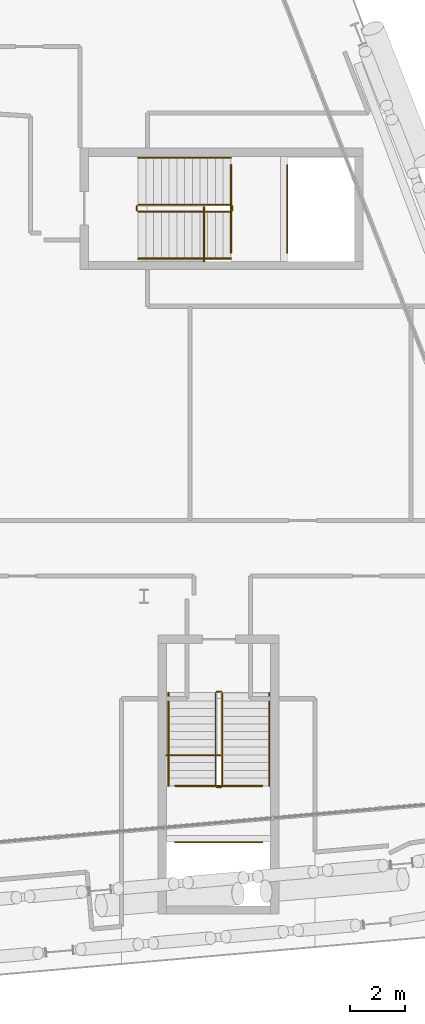
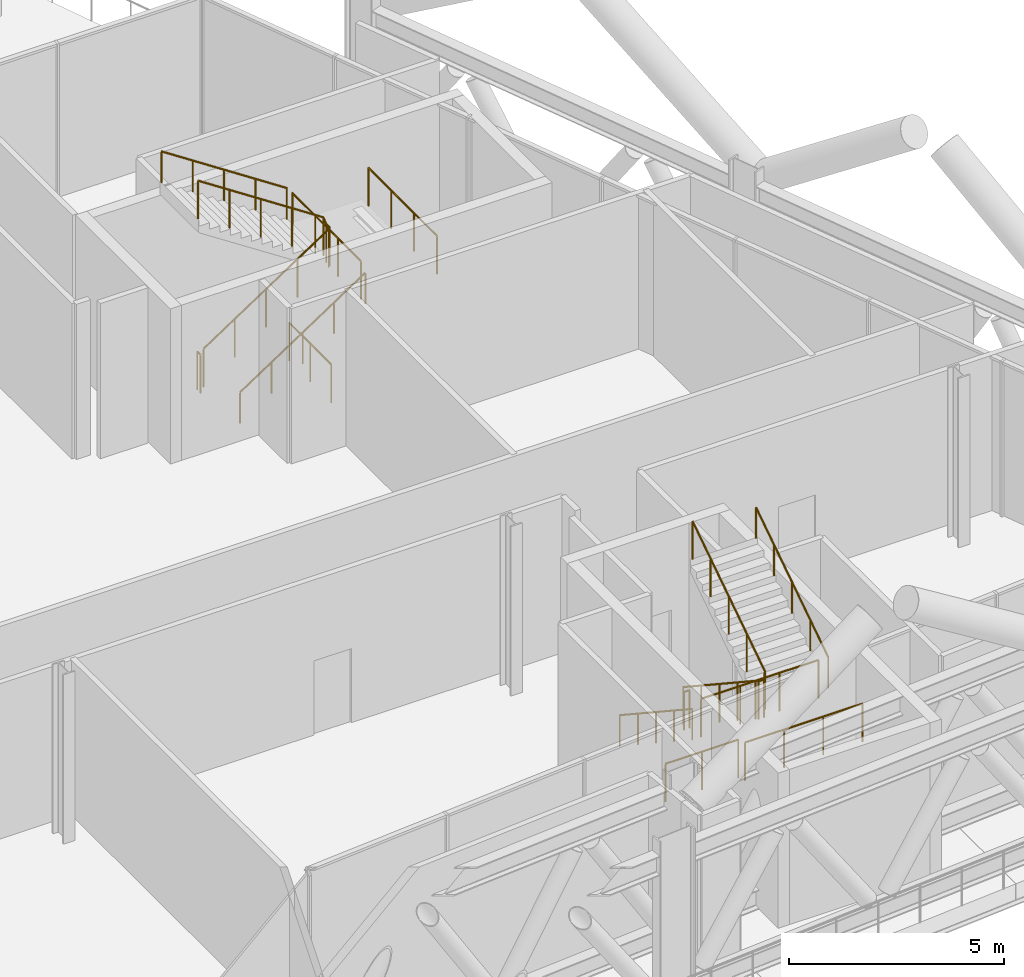
# One storey, part 39 of 39: 14 railings.
"""IFC4 building model written with IfcOpenShell, lengths in metres."""

from ifc_helpers import new_model, si_unit, direction, frame, origin, origin_2d, place, context, subcontext, project, spatial, circle, extrude, material, type_object, element, save


model = new_model("IFC4")

# Units and contexts
model_context = context("Model", 3, precision=1e-05, world=origin(), true_north=direction((0.0, 1.0)))
body_context = subcontext(model_context, "Body", "Model", "MODEL_VIEW")
ifc_project = project(units=[si_unit("LENGTHUNIT", "METRE"), si_unit("AREAUNIT", "SQUARE_METRE"), si_unit("VOLUMEUNIT", "CUBIC_METRE"), si_unit("PLANEANGLEUNIT", "RADIAN"), si_unit("MASSUNIT", "GRAM", prefix="KILO")], contexts=[model_context])

# Site, building, storey
site_placement = place(None, origin())
site = spatial("IfcSite", under=ifc_project, at=site_placement, CompositionType="ELEMENT")
building_placement = place(site_placement, origin())
building = spatial("IfcBuilding", under=site, at=building_placement, Name="Wharfspan Tower", CompositionType="ELEMENT")
storey_placement = place(building_placement, frame((0.0, 0.0, 91.899902)))
storey = spatial("IfcBuildingStorey", under=building, at=storey_placement, Name="L20", CompositionType="ELEMENT", Elevation=91.899902)

# Railings
ifc_material = material(Name="Steel S355J2", Category="steel")
railing_type_1 = type_object("IfcRailingType", Name="Stair guard 1100", PredefinedType="GUARDRAIL", material=ifc_material)
railing_1_placement = place(storey_placement, frame((73.127441, 2.594727, 2.400146)))
element("IfcRailing", 1, at=railing_1_placement, inside=storey, type_object=railing_type_1, Name="L20 ST5 band guard 1", PredefinedType="GUARDRAIL", context=body_context, shape_type="SweptSolid", body=[
    extrude(circle(Radius=0.023926, at=origin_2d()), frame((0.0, 0.0, 1.076172), z_axis=(1.0, 0.0, 0.0), x_axis=(0.0, 1.0, 0.0)), (0.0, 0.0, 1.0), 3.153564),
    extrude(circle(Radius=0.020996, at=origin_2d()), origin(), (0.0, 0.0, 1.0), 1.052002),
    extrude(circle(Radius=0.020996, at=origin_2d()), frame((1.05127, 0.0, 0.0)), (0.0, 0.0, 1.0), 1.052002),
    extrude(circle(Radius=0.020996, at=origin_2d()), frame((2.102295, 0.0, 0.0)), (0.0, 0.0, 1.0), 1.052002),
    extrude(circle(Radius=0.020996, at=origin_2d()), frame((3.153564, 0.0, 0.0)), (0.0, 0.0, 1.0), 1.052002),
])
railing_2_placement = place(storey_placement, frame((76.281006, 4.634766, 2.400146)))
element("IfcRailing", 2, at=railing_2_placement, inside=storey, type_object=railing_type_1, Name="L20 ST5 band guard 2", PredefinedType="GUARDRAIL", context=body_context, shape_type="SweptSolid", body=[
    extrude(circle(Radius=0.023926, at=origin_2d()), frame((0.0, 0.0, 1.076172), z_axis=(-1.0, 0.0, 0.0), x_axis=(0.0, -1.0, 0.0)), (0.0, 0.0, 1.0), 3.153564),
    extrude(circle(Radius=0.020996, at=origin_2d()), origin(), (0.0, 0.0, 1.0), 1.052002),
    extrude(circle(Radius=0.020996, at=origin_2d()), frame((-1.05127, 0.0, 0.0)), (0.0, 0.0, 1.0), 1.052002),
    extrude(circle(Radius=0.020996, at=origin_2d()), frame((-2.102295, 0.0, 0.0)), (0.0, 0.0, 1.0), 1.052002),
    extrude(circle(Radius=0.020996, at=origin_2d()), frame((-3.153564, 0.0, 0.0)), (0.0, 0.0, 1.0), 1.052002),
])
railing_3_placement = place(storey_placement, frame((77.19043, 23.935059, 2.400146)))
element("IfcRailing", 3, at=railing_3_placement, inside=storey, type_object=railing_type_1, Name="L20 ST6 band guard 1", PredefinedType="GUARDRAIL", context=body_context, shape_type="SweptSolid", body=[
    extrude(circle(Radius=0.023926, at=origin_2d()), frame((0.0, 0.0, 1.076172), z_axis=(0.0, 1.0, 0.0), x_axis=(-1.0, 0.0, 0.0)), (0.0, 0.0, 1.0), 3.179932),
    extrude(circle(Radius=0.020996, at=origin_2d()), origin(), (0.0, 0.0, 1.0), 1.052002),
    extrude(circle(Radius=0.020996, at=origin_2d()), frame((0.0, 1.060059, 0.0)), (0.0, 0.0, 1.0), 1.052002),
    extrude(circle(Radius=0.020996, at=origin_2d()), frame((0.0, 2.119873, 0.0)), (0.0, 0.0, 1.0), 1.052002),
    extrude(circle(Radius=0.020996, at=origin_2d()), frame((0.0, 3.179932, 0.0)), (0.0, 0.0, 1.0), 1.052002),
])
railing_4_placement = place(storey_placement, frame((75.150391, 27.11499, 2.400146)))
element("IfcRailing", 4, at=railing_4_placement, inside=storey, type_object=railing_type_1, Name="L20 ST6 band guard 2", PredefinedType="GUARDRAIL", context=body_context, shape_type="SweptSolid", body=[
    extrude(circle(Radius=0.023926, at=origin_2d()), frame((0.0, 0.0, 1.076172), z_axis=(0.0, -1.0, 0.0), x_axis=(1.0, 0.0, 0.0)), (0.0, 0.0, 1.0), 3.179932),
    extrude(circle(Radius=0.020996, at=origin_2d()), origin(), (0.0, 0.0, 1.0), 1.052002),
    extrude(circle(Radius=0.020996, at=origin_2d()), frame((0.0, -1.060059, 0.0)), (0.0, 0.0, 1.0), 1.052002),
    extrude(circle(Radius=0.020996, at=origin_2d()), frame((0.0, -2.119873, 0.0)), (0.0, 0.0, 1.0), 1.052002),
    extrude(circle(Radius=0.020996, at=origin_2d()), frame((0.0, -3.179932, 0.0)), (0.0, 0.0, 1.0), 1.052002),
])
railing_5_placement = place(storey_placement, frame((72.817383, 5.741943, 0.0)))
element("IfcRailing", 5, at=railing_5_placement, inside=storey, type_object=railing_type_1, Name="L20 ST5 top well guard 1", PredefinedType="GUARDRAIL", context=body_context, shape_type="SweptSolid", body=[
    extrude(circle(Radius=0.023926, at=origin_2d()), frame((0.0, 0.0, 1.076172), z_axis=(1.0, 0.0, 0.0), x_axis=(0.0, 1.0, 0.0)), (0.0, 0.0, 1.0), 1.950195),
    extrude(circle(Radius=0.020996, at=origin_2d()), origin(), (0.0, 0.0, 1.0), 1.052002),
    extrude(circle(Radius=0.020996, at=origin_2d()), frame((0.975098, 0.0, 0.0)), (0.0, 0.0, 1.0), 1.052002),
    extrude(circle(Radius=0.020996, at=origin_2d()), frame((1.950195, 0.0, 0.0)), (0.0, 0.0, 1.0), 1.052002),
])
railing_6_placement = place(storey_placement, frame((74.175049, 23.625, 0.0)))
element("IfcRailing", 6, at=railing_6_placement, inside=storey, type_object=railing_type_1, Name="L20 ST6 top well guard 1", PredefinedType="GUARDRAIL", context=body_context, shape_type="SweptSolid", body=[
    extrude(circle(Radius=0.023926, at=origin_2d()), frame((0.0, 0.0, 1.076172), z_axis=(0.0, 1.0, 0.0), x_axis=(-1.0, 0.0, 0.0)), (0.0, 0.0, 1.0), 1.949951),
    extrude(circle(Radius=0.020996, at=origin_2d()), origin(), (0.0, 0.0, 1.0), 1.052002),
    extrude(circle(Radius=0.020996, at=origin_2d()), frame((0.0, 0.975098, 0.0)), (0.0, 0.0, 1.0), 1.052002),
    extrude(circle(Radius=0.020996, at=origin_2d()), frame((0.0, 1.949951, 0.0)), (0.0, 0.0, 1.0), 1.052002),
])
railing_7_placement = place(storey_placement, frame((74.591064, 7.994629, 0.184814)))
element("IfcRailing", 7, at=railing_7_placement, inside=storey, type_object=railing_type_1, Name="L20 ST5 stair guard 1", PredefinedType="GUARDRAIL", context=body_context, shape_type="SweptSolid", body=[
    extrude(circle(Radius=0.023926, at=origin_2d()), frame((0.0, 0.0, 1.076172), z_axis=(0.0, -0.834858, 0.550465), x_axis=(1.0, 0.0, 0.0)), (0.0, 0.0, 1.0), 4.024414),
    extrude(circle(Radius=0.023926, at=origin_2d()), frame((0.0, -3.359863, 3.291504), z_axis=(0.707107, -0.707107, 0.0), x_axis=(0.707107, 0.707107, 0.0)), (0.0, 0.0, 1.0), 0.070801),
    extrude(circle(Radius=0.023926, at=origin_2d()), frame((0.050049, -3.409912, 3.291504), z_axis=(1.0, 0.0, 0.0), x_axis=(0.0, 1.0, 0.0)), (0.0, 0.0, 1.0), 0.149902),
    extrude(circle(Radius=0.023926, at=origin_2d()), frame((0.199951, -3.409912, 3.291504), z_axis=(0.253186, 0.253186, 0.933699), x_axis=(-0.707107, 0.707107, 0.0)), (0.0, 0.0, 1.0), 0.197754),
    extrude(circle(Radius=0.023926, at=origin_2d()), frame((0.25, -3.359863, 3.476074), z_axis=(0.0, 0.834858, 0.550465), x_axis=(-1.0, 0.0, 0.0)), (0.0, 0.0, 1.0), 4.024414),
    extrude(circle(Radius=0.020996, at=origin_2d()), origin(), (0.0, 0.0, 1.0), 1.052002),
    extrude(circle(Radius=0.020996, at=origin_2d()), frame((0.0, -0.839844, 0.553711)), (0.0, 0.0, 1.0), 1.052002),
    extrude(circle(Radius=0.020996, at=origin_2d()), frame((0.0, -1.679932, 1.107666)), (0.0, 0.0, 1.0), 1.052002),
    extrude(circle(Radius=0.020996, at=origin_2d()), frame((0.0, -2.52002, 1.661621)), (0.0, 0.0, 1.0), 1.052002),
    extrude(circle(Radius=0.020996, at=origin_2d()), frame((0.0, -3.359863, 2.215332)), (0.0, 0.0, 1.0), 1.052002),
    extrude(circle(Radius=0.020996, at=origin_2d()), frame((0.050049, -3.409912, 2.215332)), (0.0, 0.0, 1.0), 1.052002),
    extrude(circle(Radius=0.020996, at=origin_2d()), frame((0.199951, -3.409912, 2.215332)), (0.0, 0.0, 1.0), 1.052002),
    extrude(circle(Radius=0.020996, at=origin_2d()), frame((0.25, -3.359863, 2.399902)), (0.0, 0.0, 1.0), 1.052002),
    extrude(circle(Radius=0.020996, at=origin_2d()), frame((0.25, -2.52002, 2.953613)), (0.0, 0.0, 1.0), 1.052002),
    extrude(circle(Radius=0.020996, at=origin_2d()), frame((0.25, -1.679932, 3.507568)), (0.0, 0.0, 1.0), 1.052002),
    extrude(circle(Radius=0.020996, at=origin_2d()), frame((0.25, -0.839844, 4.061523)), (0.0, 0.0, 1.0), 1.052002),
    extrude(circle(Radius=0.020996, at=origin_2d()), frame((0.25, 0.0, 4.615234)), (0.0, 0.0, 1.0), 1.052002),
])
railing_8_placement = place(storey_placement, frame((74.641113, 8.044678, 0.0)))
element("IfcRailing", 8, at=railing_8_placement, inside=storey, type_object=railing_type_1, Name="L20 ST5 stair guard 2", PredefinedType="GUARDRAIL", context=body_context, shape_type="SweptSolid", body=[
    extrude(circle(Radius=0.023926, at=origin_2d()), frame((0.0, 0.0, 1.076172), z_axis=(1.0, 0.0, 0.0), x_axis=(0.0, 1.0, 0.0)), (0.0, 0.0, 1.0), 0.149902),
    extrude(circle(Radius=0.020996, at=origin_2d()), origin(), (0.0, 0.0, 1.0), 1.052002),
    extrude(circle(Radius=0.020996, at=origin_2d()), frame((0.149902, 0.0, 0.0)), (0.0, 0.0, 1.0), 1.052002),
])
railing_9_placement = place(storey_placement, frame((71.790283, 25.425049, 0.184814)))
element("IfcRailing", 9, at=railing_9_placement, inside=storey, type_object=railing_type_1, Name="L20 ST6 stair guard 1", PredefinedType="GUARDRAIL", context=body_context, shape_type="SweptSolid", body=[
    extrude(circle(Radius=0.023926, at=origin_2d()), frame((0.0, 0.0, 1.076172), z_axis=(0.834876, 0.0, 0.550437), x_axis=(0.0, 1.0, 0.0)), (0.0, 0.0, 1.0), 4.024658),
    extrude(circle(Radius=0.023926, at=origin_2d()), frame((3.360107, 0.0, 3.291504), z_axis=(0.707107, 0.707107, 0.0), x_axis=(-0.707107, 0.707107, 0.0)), (0.0, 0.0, 1.0), 0.070801),
    extrude(circle(Radius=0.023926, at=origin_2d()), frame((3.410156, 0.050049, 3.291504), z_axis=(0.0, 1.0, 0.0), x_axis=(-1.0, 0.0, 0.0)), (0.0, 0.0, 1.0), 0.149902),
    extrude(circle(Radius=0.023926, at=origin_2d()), frame((3.410156, 0.199951, 3.291504), z_axis=(-0.253186, 0.253186, 0.933699), x_axis=(-0.707107, -0.707107, 0.0)), (0.0, 0.0, 1.0), 0.197754),
    extrude(circle(Radius=0.023926, at=origin_2d()), frame((3.360107, 0.25, 3.476074), z_axis=(-0.834876, 0.0, 0.550437), x_axis=(0.0, -1.0, 0.0)), (0.0, 0.0, 1.0), 4.024658),
    extrude(circle(Radius=0.020996, at=origin_2d()), origin(), (0.0, 0.0, 1.0), 1.052002),
    extrude(circle(Radius=0.020996, at=origin_2d()), frame((0.840088, 0.0, 0.553711)), (0.0, 0.0, 1.0), 1.052002),
    extrude(circle(Radius=0.020996, at=origin_2d()), frame((1.680176, 0.0, 1.107666)), (0.0, 0.0, 1.0), 1.052002),
    extrude(circle(Radius=0.020996, at=origin_2d()), frame((2.52002, 0.0, 1.661621)), (0.0, 0.0, 1.0), 1.052002),
    extrude(circle(Radius=0.020996, at=origin_2d()), frame((3.360107, 0.0, 2.215332)), (0.0, 0.0, 1.0), 1.052002),
    extrude(circle(Radius=0.020996, at=origin_2d()), frame((3.410156, 0.050049, 2.215332)), (0.0, 0.0, 1.0), 1.052002),
    extrude(circle(Radius=0.020996, at=origin_2d()), frame((3.410156, 0.199951, 2.215332)), (0.0, 0.0, 1.0), 1.052002),
    extrude(circle(Radius=0.020996, at=origin_2d()), frame((3.360107, 0.25, 2.399902)), (0.0, 0.0, 1.0), 1.052002),
    extrude(circle(Radius=0.020996, at=origin_2d()), frame((2.52002, 0.25, 2.953613)), (0.0, 0.0, 1.0), 1.052002),
    extrude(circle(Radius=0.020996, at=origin_2d()), frame((1.680176, 0.25, 3.507568)), (0.0, 0.0, 1.0), 1.052002),
    extrude(circle(Radius=0.020996, at=origin_2d()), frame((0.840088, 0.25, 4.061523)), (0.0, 0.0, 1.0), 1.052002),
    extrude(circle(Radius=0.020996, at=origin_2d()), frame((0.0, 0.25, 4.615234)), (0.0, 0.0, 1.0), 1.052002),
])
railing_10_placement = place(storey_placement, frame((71.740479, 25.475098, 0.0)))
element("IfcRailing", 10, at=railing_10_placement, inside=storey, type_object=railing_type_1, Name="L20 ST6 stair guard 2", PredefinedType="GUARDRAIL", context=body_context, shape_type="SweptSolid", body=[
    extrude(circle(Radius=0.023926, at=origin_2d()), frame((0.0, 0.0, 1.076172), z_axis=(0.0, 1.0, 0.0), x_axis=(-1.0, 0.0, 0.0)), (0.0, 0.0, 1.0), 0.149902),
    extrude(circle(Radius=0.020996, at=origin_2d()), origin(), (0.0, 0.0, 1.0), 1.052002),
    extrude(circle(Radius=0.020996, at=origin_2d()), frame((0.0, 0.149902, 0.0)), (0.0, 0.0, 1.0), 1.052002),
])
railing_type_2 = type_object("IfcRailingType", Name="Stair handrail 900", PredefinedType="HANDRAIL", material=ifc_material)
railing_11_placement = place(storey_placement, frame((72.891113, 7.994629, 0.184814)))
element("IfcRailing", 11, at=railing_11_placement, inside=storey, type_object=railing_type_2, Name="L20 ST5 stair handrail 1", PredefinedType="HANDRAIL", context=body_context, shape_type="SweptSolid", body=[
    extrude(circle(Radius=0.023926, at=origin_2d()), frame((0.0, 0.0, 0.875977), z_axis=(0.0, -0.834858, 0.550465), x_axis=(1.0, 0.0, 0.0)), (0.0, 0.0, 1.0), 4.024414),
    extrude(circle(Radius=0.020996, at=origin_2d()), origin(), (0.0, 0.0, 1.0), 0.851807),
    extrude(circle(Radius=0.020996, at=origin_2d()), frame((0.0, -0.839844, 0.553711)), (0.0, 0.0, 1.0), 0.851807),
    extrude(circle(Radius=0.020996, at=origin_2d()), frame((0.0, -1.679932, 1.107666)), (0.0, 0.0, 1.0), 0.851807),
    extrude(circle(Radius=0.020996, at=origin_2d()), frame((0.0, -2.52002, 1.661621)), (0.0, 0.0, 1.0), 0.851807),
    extrude(circle(Radius=0.020996, at=origin_2d()), frame((0.0, -3.359863, 2.215332)), (0.0, 0.0, 1.0), 0.851807),
])
railing_12_placement = place(storey_placement, frame((76.541016, 4.634766, 2.584717)))
element("IfcRailing", 12, at=railing_12_placement, inside=storey, type_object=railing_type_2, Name="L20 ST5 stair handrail 2", PredefinedType="HANDRAIL", context=body_context, shape_type="SweptSolid", body=[
    extrude(circle(Radius=0.023926, at=origin_2d()), frame((0.0, 0.0, 0.875977), z_axis=(0.0, 0.834858, 0.550465), x_axis=(-1.0, 0.0, 0.0)), (0.0, 0.0, 1.0), 4.024414),
    extrude(circle(Radius=0.020996, at=origin_2d()), origin(), (0.0, 0.0, 1.0), 0.851807),
    extrude(circle(Radius=0.020996, at=origin_2d()), frame((0.0, 0.839844, 0.553711)), (0.0, 0.0, 1.0), 0.851807),
    extrude(circle(Radius=0.020996, at=origin_2d()), frame((0.0, 1.679932, 1.107666)), (0.0, 0.0, 1.0), 0.851807),
    extrude(circle(Radius=0.020996, at=origin_2d()), frame((0.0, 2.52002, 1.661621)), (0.0, 0.0, 1.0), 0.851807),
    extrude(circle(Radius=0.020996, at=origin_2d()), frame((0.0, 3.359863, 2.215332)), (0.0, 0.0, 1.0), 0.851807),
])
railing_13_placement = place(storey_placement, frame((71.790283, 23.725098, 0.184814)))
element("IfcRailing", 13, at=railing_13_placement, inside=storey, type_object=railing_type_2, Name="L20 ST6 stair handrail 1", PredefinedType="HANDRAIL", context=body_context, shape_type="SweptSolid", body=[
    extrude(circle(Radius=0.023926, at=origin_2d()), frame((0.0, 0.0, 0.875977), z_axis=(0.834876, 0.0, 0.550437), x_axis=(0.0, 1.0, 0.0)), (0.0, 0.0, 1.0), 4.024658),
    extrude(circle(Radius=0.020996, at=origin_2d()), origin(), (0.0, 0.0, 1.0), 0.851807),
    extrude(circle(Radius=0.020996, at=origin_2d()), frame((0.840088, 0.0, 0.553711)), (0.0, 0.0, 1.0), 0.851807),
    extrude(circle(Radius=0.020996, at=origin_2d()), frame((1.680176, 0.0, 1.107666)), (0.0, 0.0, 1.0), 0.851807),
    extrude(circle(Radius=0.020996, at=origin_2d()), frame((2.52002, 0.0, 1.661621)), (0.0, 0.0, 1.0), 0.851807),
    extrude(circle(Radius=0.020996, at=origin_2d()), frame((3.360107, 0.0, 2.215332)), (0.0, 0.0, 1.0), 0.851807),
])
railing_14_placement = place(storey_placement, frame((75.150391, 27.375, 2.584717)))
element("IfcRailing", 14, at=railing_14_placement, inside=storey, type_object=railing_type_2, Name="L20 ST6 stair handrail 2", PredefinedType="HANDRAIL", context=body_context, shape_type="SweptSolid", body=[
    extrude(circle(Radius=0.023926, at=origin_2d()), frame((0.0, 0.0, 0.875977), z_axis=(-0.834876, 0.0, 0.550437), x_axis=(0.0, -1.0, 0.0)), (0.0, 0.0, 1.0), 4.024658),
    extrude(circle(Radius=0.020996, at=origin_2d()), origin(), (0.0, 0.0, 1.0), 0.851807),
    extrude(circle(Radius=0.020996, at=origin_2d()), frame((-0.840088, 0.0, 0.553711)), (0.0, 0.0, 1.0), 0.851807),
    extrude(circle(Radius=0.020996, at=origin_2d()), frame((-1.680176, 0.0, 1.107666)), (0.0, 0.0, 1.0), 0.851807),
    extrude(circle(Radius=0.020996, at=origin_2d()), frame((-2.52002, 0.0, 1.661621)), (0.0, 0.0, 1.0), 0.851807),
    extrude(circle(Radius=0.020996, at=origin_2d()), frame((-3.360107, 0.0, 2.215332)), (0.0, 0.0, 1.0), 0.851807),
])

save(model, "model.ifc")
